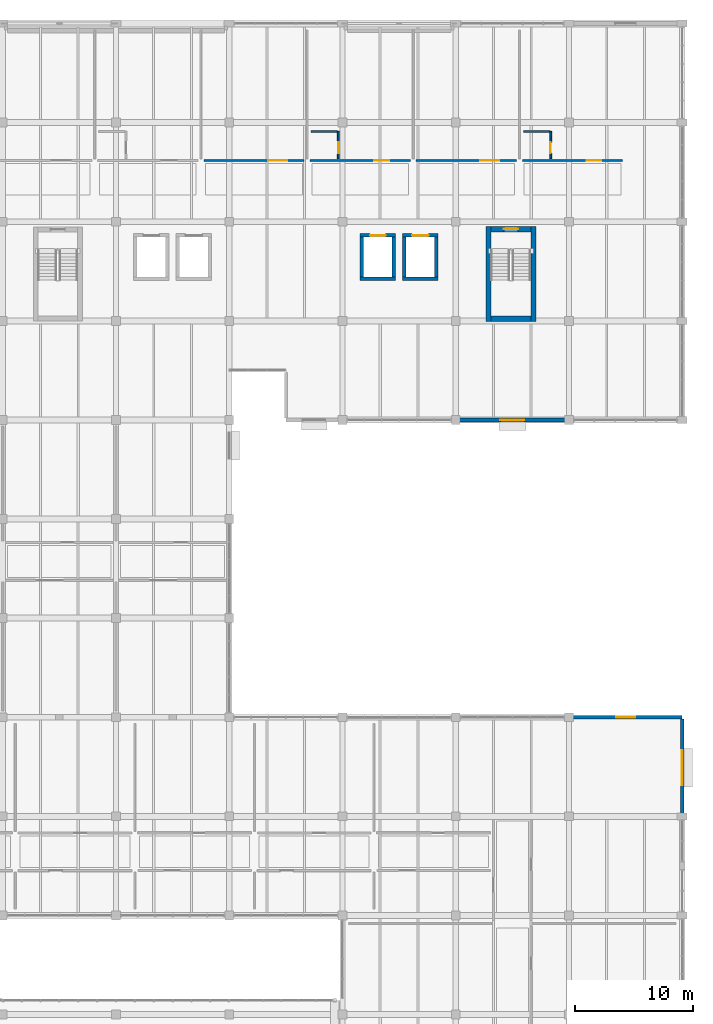
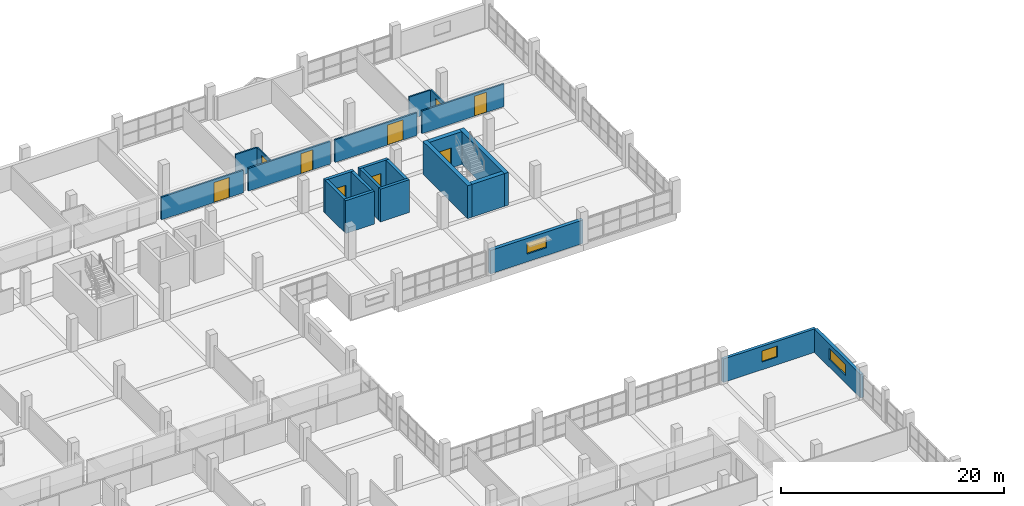
# One storey, part 131 of 147: 23 walls, 9 doors, 3 windows, 12 openings.
"""IFC4 building model written with IfcOpenShell, lengths in metres."""

from ifc_helpers import new_model, si_unit, direction, frame, frame_2d, origin, place, context, subcontext, project, spatial, rectangle, extrude, material, layer, layer_set, type_object, element, fill, save


model = new_model("IFC4")

# Units and contexts
model_context = context("Model", 3, precision=1e-05, world=origin(), true_north=direction((0.0, 1.0)))
body_context = subcontext(model_context, "Body", "Model", "MODEL_VIEW")
ifc_project = project(units=[si_unit("LENGTHUNIT", "METRE"), si_unit("AREAUNIT", "SQUARE_METRE"), si_unit("VOLUMEUNIT", "CUBIC_METRE"), si_unit("PLANEANGLEUNIT", "RADIAN"), si_unit("MASSUNIT", "GRAM", prefix="KILO")], contexts=[model_context])

# Site, building, storey
site_placement = place(None, origin())
site = spatial("IfcSite", under=ifc_project, at=site_placement, CompositionType="ELEMENT")
building_placement = place(site_placement, origin())
building = spatial("IfcBuilding", under=site, at=building_placement, Name="Oolite Switchyard Hospital", CompositionType="ELEMENT")
storey_placement = place(building_placement, frame((0.0, 0.0, 9.89990234375)))
storey = spatial("IfcBuildingStorey", under=building, at=storey_placement, Name="L02", CompositionType="ELEMENT", Elevation=9.89990234375)

# Wall, opening, window
ifc_material_1 = material(Name="Precast oolitic limestone architectural concrete C40/50", Category="masonry")
ifc_layer_1 = layer(ifc_material_1, 0.300048828125)
ifc_layer_set_1 = layer_set([ifc_layer_1], Name="WAL-EXT-300")
wall_type_1 = type_object("IfcWallType", Name="WAL-EXT-300", PredefinedType="SOLIDWALL", material=ifc_layer_set_1)
wall_1_placement = place(storey_placement, frame((201.60009765625, 75.60009765625, 0.0), z_axis=(0.0, 0.0, 1.0), x_axis=(1.0, 0.0, 0.0)))
wall_1 = element("IfcWall", 1, at=wall_1_placement, inside=storey, type_object=wall_type_1, Name="L02 Exterior Spandrel Wall 133", PredefinedType="SOLIDWALL", context=body_context, shape_type="SweptSolid", body=[
    extrude(rectangle(XDim=9.599853515625, YDim=0.300048828125, at=frame_2d((4.7998046875, 0.0))), origin(), (0.0, 0.0, 1.0), 2.570068359375),
])
opening_1_placement = place(wall_1_placement, frame((4.0, 0.0, 0.85009765625)))
opening_1 = element("IfcOpeningElement", 2, at=opening_1_placement, cuts=wall_1, Name="Opening WN-0050", PredefinedType="OPENING", context=body_context, shape_type="SweptSolid", body=[
    extrude(rectangle(XDim=1.60009765625, YDim=1.199951171875, at=frame_2d((0.800048828125, 0.60009765625))), frame((0.0, 0.16015625, 0.0), z_axis=(0.0, -1.0, 0.0), x_axis=(1.0, 0.0, 0.0)), (0.0, 0.0, 1.0), 0.320068359375),
])
ifc_material_2 = material(Name="Thermally broken aluminum frame with laminated impact glazing", Category="aluminium")
window_type_1 = type_object("IfcWindowType", Name="WIN-IMP-160X120", PartitioningType="SINGLE_PANEL", PredefinedType="WINDOW", material=ifc_material_2)
window_1_placement = place(opening_1_placement, origin())
window_1 = element("IfcWindow", 3, at=window_1_placement, inside=storey, type_object=window_type_1, Name="L02 Hurricane Impact Window WN-0050", OverallHeight=1.199951171875, OverallWidth=1.60009765625, PartitioningType="SINGLE_PANEL", PredefinedType="WINDOW", context=body_context, shape_type="SweptSolid", body=[
    extrude(rectangle(XDim=1.60009765625, YDim=1.199951171875, at=frame_2d((0.800048828125, 0.60009765625))), frame((0.0, 0.030029296875, 0.0), z_axis=(0.0, -1.0, 0.0), x_axis=(1.0, 0.0, 0.0)), (0.0, 0.0, 1.0), 0.06005859375),
])
fill(opening_1, window_1)

ifc_layer_2 = layer(ifc_material_1, 0.320068359375)
ifc_layer_set_2 = layer_set([ifc_layer_2], Name="WAL-EXT-320")
wall_type_2 = type_object("IfcWallType", Name="WAL-EXT-320", PredefinedType="SOLIDWALL", material=ifc_layer_set_2)
wall_2_placement = place(storey_placement, frame((211.199951171875, 75.43994140625, 0.0), z_axis=(0.0, 0.0, 1.0), x_axis=(0.0, -1.0, 0.0)))
wall_2 = element("IfcWall", 4, at=wall_2_placement, inside=storey, type_object=wall_type_2, Name="L02 Exterior Spandrel Wall 169", PredefinedType="SOLIDWALL", context=body_context, shape_type="SweptSolid", body=[
    extrude(rectangle(XDim=8.239990234375, YDim=0.320068359375, at=frame_2d((4.1201171875, 0.0))), origin(), (0.0, 0.0, 1.0), 2.570068359375),
])
opening_2_placement = place(wall_2_placement, frame((2.6201171875, 0.0, 0.85009765625)))
opening_2 = element("IfcOpeningElement", 5, at=opening_2_placement, cuts=wall_2, Name="Opening WN-0064", PredefinedType="OPENING", context=body_context, shape_type="SweptSolid", body=[
    extrude(rectangle(XDim=3.0, YDim=1.199951171875, at=frame_2d((1.5, 0.60009765625))), frame((0.0, 0.169921875, 0.0), z_axis=(0.0, -1.0, 0.0), x_axis=(1.0, 0.0, 0.0)), (0.0, 0.0, 1.0), 0.340087890625),
])
window_type_2 = type_object("IfcWindowType", Name="WIN-IMP-300X120", PartitioningType="SINGLE_PANEL", PredefinedType="WINDOW", material=ifc_material_2)
window_2_placement = place(opening_2_placement, origin())
window_2 = element("IfcWindow", 6, at=window_2_placement, inside=storey, type_object=window_type_2, Name="L02 Hurricane Impact Window WN-0064", OverallHeight=1.199951171875, OverallWidth=3.0, PartitioningType="SINGLE_PANEL", PredefinedType="WINDOW", context=body_context, shape_type="SweptSolid", body=[
    extrude(rectangle(XDim=3.0, YDim=1.199951171875, at=frame_2d((1.5, 0.60009765625))), frame((0.0, 0.030029296875, 0.0), z_axis=(0.0, -1.0, 0.0), x_axis=(1.0, 0.0, 0.0)), (0.0, 0.0, 1.0), 0.06005859375),
])
fill(opening_2, window_2)

ifc_layer_3 = layer(ifc_material_1, 0.360107421875)
ifc_layer_set_3 = layer_set([ifc_layer_3], Name="WAL-EXT-360")
wall_type_3 = type_object("IfcWallType", Name="WAL-EXT-360", PredefinedType="SOLIDWALL", material=ifc_layer_set_3)
wall_3_placement = place(storey_placement, frame((201.60009765625, 100.800048828125, 0.0), z_axis=(0.0, 0.0, 1.0), x_axis=(-1.0, 0.0, 0.0)))
wall_3 = element("IfcWall", 7, at=wall_3_placement, inside=storey, type_object=wall_type_3, Name="L02 Exterior Spandrel Wall 136", PredefinedType="SOLIDWALL", context=body_context, shape_type="SweptSolid", body=[
    extrude(rectangle(XDim=9.60009765625, YDim=0.360107421875, at=frame_2d((4.800048828125, 0.0))), origin(), (0.0, 0.0, 1.0), 2.570068359375),
])
opening_3_placement = place(wall_3_placement, frame((3.77490234375, 0.0, 0.85009765625)))
opening_3 = element("IfcOpeningElement", 8, at=opening_3_placement, cuts=wall_3, Name="Opening WN-0053", PredefinedType="OPENING", context=body_context, shape_type="SweptSolid", body=[
    extrude(rectangle(XDim=2.050048828125, YDim=1.199951171875, at=frame_2d((1.02490234375, 0.60009765625))), frame((0.0, 0.18994140625, 0.0), z_axis=(0.0, -1.0, 0.0), x_axis=(1.0, 0.0, 0.0)), (0.0, 0.0, 1.0), 0.380126953125),
])
window_type_3 = type_object("IfcWindowType", Name="WIN-IMP-205X120", PartitioningType="SINGLE_PANEL", PredefinedType="WINDOW", material=ifc_material_2)
window_3_placement = place(opening_3_placement, origin())
window_3 = element("IfcWindow", 9, at=window_3_placement, inside=storey, type_object=window_type_3, Name="L02 Hurricane Impact Window WN-0053", OverallHeight=1.199951171875, OverallWidth=2.050048828125, PartitioningType="SINGLE_PANEL", PredefinedType="WINDOW", context=body_context, shape_type="SweptSolid", body=[
    extrude(rectangle(XDim=2.050048828125, YDim=1.199951171875, at=frame_2d((1.02490234375, 0.60009765625))), frame((0.0, 0.030029296875, 0.0), z_axis=(0.0, -1.0, 0.0), x_axis=(1.0, 0.0, 0.0)), (0.0, 0.0, 1.0), 0.06005859375),
])
fill(opening_3, window_3)

# Wall, opening, door
ifc_material_3 = material(Name="Moisture-resistant gypsum board on steel studs", Category="steel")
ifc_layer_4 = layer(ifc_material_3, 0.14990234375)
ifc_layer_set_4 = layer_set([ifc_layer_4], Name="WAL-PART-150")
wall_type_4 = type_object("IfcWallType", Name="WAL-PART-150", PredefinedType="PARTITIONING", material=ifc_layer_set_4)
wall_4_placement = place(storey_placement, frame((182.050048828125, 122.949951171875, 0.0), z_axis=(0.0, 0.0, 1.0), x_axis=(0.0, 1.0, 0.0)))
wall_4 = element("IfcWall", 10, at=wall_4_placement, inside=storey, type_object=wall_type_4, Name="L02 Interior Partition 541", PredefinedType="PARTITIONING", context=body_context, shape_type="SweptSolid", body=[
    extrude(rectangle(XDim=2.300048828125, YDim=0.14990234375, at=frame_2d((1.14990234375, 0.0))), origin(), (0.0, 0.0, 1.0), 2.47998046875),
])
opening_4_placement = place(wall_4_placement, frame((0.449951171875, 0.0, 0.0)))
opening_4 = element("IfcOpeningElement", 11, at=opening_4_placement, cuts=wall_4, Name="Opening D-0305", PredefinedType="OPENING", context=body_context, shape_type="SweptSolid", body=[
    extrude(rectangle(XDim=0.949951171875, YDim=2.10009765625, at=frame_2d((0.47509765625, 1.050048828125))), frame((0.0, 0.0849609375, 0.0), z_axis=(0.0, -1.0, 0.0), x_axis=(1.0, 0.0, 0.0)), (0.0, 0.0, 1.0), 0.169921875),
])
ifc_material_4 = material(Name="Solid-core antimicrobial hardwood leaf in steel frame", Category="steel")
door_type_1 = type_object("IfcDoorType", Name="DR-BATH-095X210", OperationType="NOTDEFINED", PredefinedType="DOOR", material=ifc_material_4)
door_1_placement = place(opening_4_placement, origin())
door_1 = element("IfcDoor", 12, at=door_1_placement, inside=storey, type_object=door_type_1, Name="L02 Interior Door D-0305", OperationType="SINGLE_SWING_RIGHT", OverallHeight=2.10009765625, OverallWidth=0.949951171875, PredefinedType="DOOR", context=body_context, shape_type="SweptSolid", body=[
    extrude(rectangle(XDim=0.949951171875, YDim=2.10009765625, at=frame_2d((0.47509765625, 1.050048828125))), frame((0.0, 0.02490234375, 0.0), z_axis=(0.0, -1.0, 0.0), x_axis=(1.0, 0.0, 0.0)), (0.0, 0.0, 1.0), 0.050048828125),
])
fill(opening_4, door_1)

# Wall
wall_5_placement = place(storey_placement, frame((179.75, 125.25, 0.0), z_axis=(0.0, 0.0, 1.0), x_axis=(1.0, 0.0, 0.0)))
element("IfcWall", 13, at=wall_5_placement, inside=storey, type_object=wall_type_4, Name="L02 Interior Partition 542", PredefinedType="PARTITIONING", context=body_context, shape_type="SweptSolid", body=[
    extrude(rectangle(XDim=2.199951171875, YDim=0.14990234375, at=frame_2d((1.10009765625, 0.0))), origin(), (0.0, 0.0, 1.0), 2.47998046875),
])

# Wall, opening, door
wall_6_placement = place(storey_placement, frame((200.050048828125, 122.949951171875, 0.0), z_axis=(0.0, 0.0, 1.0), x_axis=(0.0, 1.0, 0.0)))
wall_6 = element("IfcWall", 14, at=wall_6_placement, inside=storey, type_object=wall_type_4, Name="L02 Interior Partition 547", PredefinedType="PARTITIONING", context=body_context, shape_type="SweptSolid", body=[
    extrude(rectangle(XDim=2.300048828125, YDim=0.14990234375, at=frame_2d((1.14990234375, 0.0))), origin(), (0.0, 0.0, 1.0), 2.47998046875),
])
opening_5_placement = place(wall_6_placement, frame((0.449951171875, 0.0, 0.0)))
opening_5 = element("IfcOpeningElement", 15, at=opening_5_placement, cuts=wall_6, Name="Opening D-0308", PredefinedType="OPENING", context=body_context, shape_type="SweptSolid", body=[
    extrude(rectangle(XDim=0.949951171875, YDim=2.10009765625, at=frame_2d((0.47509765625, 1.050048828125))), frame((0.0, 0.0849609375, 0.0), z_axis=(0.0, -1.0, 0.0), x_axis=(1.0, 0.0, 0.0)), (0.0, 0.0, 1.0), 0.169921875),
])
door_2_placement = place(opening_5_placement, origin())
door_2 = element("IfcDoor", 16, at=door_2_placement, inside=storey, type_object=door_type_1, Name="L02 Interior Door D-0308", OperationType="SINGLE_SWING_RIGHT", OverallHeight=2.10009765625, OverallWidth=0.949951171875, PredefinedType="DOOR", context=body_context, shape_type="SweptSolid", body=[
    extrude(rectangle(XDim=0.949951171875, YDim=2.10009765625, at=frame_2d((0.47509765625, 1.050048828125))), frame((0.0, 0.02490234375, 0.0), z_axis=(0.0, -1.0, 0.0), x_axis=(1.0, 0.0, 0.0)), (0.0, 0.0, 1.0), 0.050048828125),
])
fill(opening_5, door_2)

# Wall
wall_7_placement = place(storey_placement, frame((197.75, 125.25, 0.0), z_axis=(0.0, 0.0, 1.0), x_axis=(1.0, 0.0, 0.0)))
element("IfcWall", 17, at=wall_7_placement, inside=storey, type_object=wall_type_4, Name="L02 Interior Partition 548", PredefinedType="PARTITIONING", context=body_context, shape_type="SweptSolid", body=[
    extrude(rectangle(XDim=2.199951171875, YDim=0.14990234375, at=frame_2d((1.10009765625, 0.0))), origin(), (0.0, 0.0, 1.0), 2.47998046875),
])

# Wall, opening, door
ifc_layer_5 = layer(ifc_material_3, 0.1650390625)
ifc_layer_set_5 = layer_set([ifc_layer_5], Name="WAL-PART-165")
wall_type_5 = type_object("IfcWallType", Name="WAL-PART-165", PredefinedType="PARTITIONING", material=ifc_layer_set_5)
wall_8_placement = place(storey_placement, frame((170.64990234375, 122.800048828125, 0.0), z_axis=(0.0, 0.0, 1.0), x_axis=(1.0, 0.0, 0.0)))
wall_8 = element("IfcWall", 18, at=wall_8_placement, inside=storey, type_object=wall_type_5, Name="L02 Interior Partition 538", PredefinedType="PARTITIONING", context=body_context, shape_type="SweptSolid", body=[
    extrude(rectangle(XDim=8.5, YDim=0.1650390625, at=frame_2d((4.25, 0.0))), origin(), (0.0, 0.0, 1.0), 2.47998046875),
])
opening_6_placement = place(wall_8_placement, frame((5.449951171875, 0.0, 0.0)))
opening_6 = element("IfcOpeningElement", 19, at=opening_6_placement, cuts=wall_8, Name="Opening D-0303", PredefinedType="OPENING", context=body_context, shape_type="SweptSolid", body=[
    extrude(rectangle(XDim=1.60009765625, YDim=2.199951171875, at=frame_2d((0.800048828125, 1.10009765625))), frame((0.0, 0.092529296875, 0.0), z_axis=(0.0, -1.0, 0.0), x_axis=(1.0, 0.0, 0.0)), (0.0, 0.0, 1.0), 0.18505859375),
])
ifc_material_5 = material(Name="Hollow metal fire-rated steel door assembly", Category="steel")
door_type_2 = type_object("IfcDoorType", Name="DR-DBL-160X220", OperationType="NOTDEFINED", PredefinedType="DOOR", material=ifc_material_5)
door_3_placement = place(opening_6_placement, origin())
door_3 = element("IfcDoor", 20, at=door_3_placement, inside=storey, type_object=door_type_2, Name="L02 Interior Door D-0303", OperationType="DOUBLE_DOOR_SINGLE_SWING", OverallHeight=2.199951171875, OverallWidth=1.60009765625, PredefinedType="DOOR", context=body_context, shape_type="SweptSolid", body=[
    extrude(rectangle(XDim=1.60009765625, YDim=2.199951171875, at=frame_2d((0.800048828125, 1.10009765625))), frame((0.0, 0.02490234375, 0.0), z_axis=(0.0, -1.0, 0.0), x_axis=(1.0, 0.0, 0.0)), (0.0, 0.0, 1.0), 0.050048828125),
])
fill(opening_6, door_3)

wall_9_placement = place(storey_placement, frame((179.64990234375, 122.800048828125, 0.0), z_axis=(0.0, 0.0, 1.0), x_axis=(1.0, 0.0, 0.0)))
wall_9 = element("IfcWall", 21, at=wall_9_placement, inside=storey, type_object=wall_type_5, Name="L02 Interior Partition 540", PredefinedType="PARTITIONING", context=body_context, shape_type="SweptSolid", body=[
    extrude(rectangle(XDim=8.5, YDim=0.1650390625, at=frame_2d((4.25, 0.0))), origin(), (0.0, 0.0, 1.0), 2.47998046875),
])
opening_7_placement = place(wall_9_placement, frame((5.449951171875, 0.0, 0.0)))
opening_7 = element("IfcOpeningElement", 22, at=opening_7_placement, cuts=wall_9, Name="Opening D-0304", PredefinedType="OPENING", context=body_context, shape_type="SweptSolid", body=[
    extrude(rectangle(XDim=1.25, YDim=2.199951171875, at=frame_2d((0.625, 1.10009765625))), frame((0.0, 0.092529296875, 0.0), z_axis=(0.0, -1.0, 0.0), x_axis=(1.0, 0.0, 0.0)), (0.0, 0.0, 1.0), 0.18505859375),
])
door_type_3 = type_object("IfcDoorType", Name="DR-WARD-125X220", OperationType="NOTDEFINED", PredefinedType="DOOR", material=ifc_material_4)
door_4_placement = place(opening_7_placement, origin())
door_4 = element("IfcDoor", 23, at=door_4_placement, inside=storey, type_object=door_type_3, Name="L02 Interior Door D-0304", OperationType="SINGLE_SWING_LEFT", OverallHeight=2.199951171875, OverallWidth=1.25, PredefinedType="DOOR", context=body_context, shape_type="SweptSolid", body=[
    extrude(rectangle(XDim=1.25, YDim=2.199951171875, at=frame_2d((0.625, 1.10009765625))), frame((0.0, 0.02490234375, 0.0), z_axis=(0.0, -1.0, 0.0), x_axis=(1.0, 0.0, 0.0)), (0.0, 0.0, 1.0), 0.050048828125),
])
fill(opening_7, door_4)

wall_10_placement = place(storey_placement, frame((188.64990234375, 122.800048828125, 0.0), z_axis=(0.0, 0.0, 1.0), x_axis=(1.0, 0.0, 0.0)))
wall_10 = element("IfcWall", 24, at=wall_10_placement, inside=storey, type_object=wall_type_5, Name="L02 Interior Partition 544", PredefinedType="PARTITIONING", context=body_context, shape_type="SweptSolid", body=[
    extrude(rectangle(XDim=8.5, YDim=0.1650390625, at=frame_2d((4.25, 0.0))), origin(), (0.0, 0.0, 1.0), 2.47998046875),
])
opening_8_placement = place(wall_10_placement, frame((5.449951171875, 0.0, 0.0)))
opening_8 = element("IfcOpeningElement", 25, at=opening_8_placement, cuts=wall_10, Name="Opening D-0306", PredefinedType="OPENING", context=body_context, shape_type="SweptSolid", body=[
    extrude(rectangle(XDim=1.60009765625, YDim=2.199951171875, at=frame_2d((0.800048828125, 1.10009765625))), frame((0.0, 0.092529296875, 0.0), z_axis=(0.0, -1.0, 0.0), x_axis=(1.0, 0.0, 0.0)), (0.0, 0.0, 1.0), 0.18505859375),
])
door_5_placement = place(opening_8_placement, origin())
door_5 = element("IfcDoor", 26, at=door_5_placement, inside=storey, type_object=door_type_2, Name="L02 Interior Door D-0306", OperationType="DOUBLE_DOOR_SINGLE_SWING", OverallHeight=2.199951171875, OverallWidth=1.60009765625, PredefinedType="DOOR", context=body_context, shape_type="SweptSolid", body=[
    extrude(rectangle(XDim=1.60009765625, YDim=2.199951171875, at=frame_2d((0.800048828125, 1.10009765625))), frame((0.0, 0.02490234375, 0.0), z_axis=(0.0, -1.0, 0.0), x_axis=(1.0, 0.0, 0.0)), (0.0, 0.0, 1.0), 0.050048828125),
])
fill(opening_8, door_5)

wall_11_placement = place(storey_placement, frame((197.64990234375, 122.800048828125, 0.0), z_axis=(0.0, 0.0, 1.0), x_axis=(1.0, 0.0, 0.0)))
wall_11 = element("IfcWall", 27, at=wall_11_placement, inside=storey, type_object=wall_type_5, Name="L02 Interior Partition 546", PredefinedType="PARTITIONING", context=body_context, shape_type="SweptSolid", body=[
    extrude(rectangle(XDim=8.5, YDim=0.1650390625, at=frame_2d((4.25, 0.0))), origin(), (0.0, 0.0, 1.0), 2.47998046875),
])
opening_9_placement = place(wall_11_placement, frame((5.449951171875, 0.0, 0.0)))
opening_9 = element("IfcOpeningElement", 28, at=opening_9_placement, cuts=wall_11, Name="Opening D-0307", PredefinedType="OPENING", context=body_context, shape_type="SweptSolid", body=[
    extrude(rectangle(XDim=1.25, YDim=2.199951171875, at=frame_2d((0.625, 1.10009765625))), frame((0.0, 0.092529296875, 0.0), z_axis=(0.0, -1.0, 0.0), x_axis=(1.0, 0.0, 0.0)), (0.0, 0.0, 1.0), 0.18505859375),
])
door_6_placement = place(opening_9_placement, origin())
door_6 = element("IfcDoor", 29, at=door_6_placement, inside=storey, type_object=door_type_3, Name="L02 Interior Door D-0307", OperationType="SINGLE_SWING_LEFT", OverallHeight=2.199951171875, OverallWidth=1.25, PredefinedType="DOOR", context=body_context, shape_type="SweptSolid", body=[
    extrude(rectangle(XDim=1.25, YDim=2.199951171875, at=frame_2d((0.625, 1.10009765625))), frame((0.0, 0.02490234375, 0.0), z_axis=(0.0, -1.0, 0.0), x_axis=(1.0, 0.0, 0.0)), (0.0, 0.0, 1.0), 0.050048828125),
])
fill(opening_9, door_6)

# Walls
ifc_material_6 = material(Name="Concrete C50/60", Category="concrete")
ifc_layer_6 = layer(ifc_material_6, 0.300048828125)
ifc_layer_set_6 = layer_set([ifc_layer_6], Name="WAL-SHR-300")
wall_type_6 = type_object("IfcWallType", Name="WAL-SHR-300", PredefinedType="SHEAR", material=ifc_layer_set_6)
wall_12_placement = place(storey_placement, frame((183.89990234375, 112.75, 0.0), z_axis=(0.0, 0.0, 1.0), x_axis=(1.0, 0.0, 0.0)))
element("IfcWall", 30, at=wall_12_placement, inside=storey, type_object=wall_type_6, Name="L02 Lift Shaft Shear Wall EL-03", PredefinedType="SHEAR", context=body_context, shape_type="SweptSolid", body=[
    extrude(rectangle(XDim=3.0, YDim=0.300048828125, at=frame_2d((1.5, 0.0))), origin(), (0.0, 0.0, 1.0), 3.60009765625),
])
wall_13_placement = place(storey_placement, frame((186.75, 112.89990234375, 0.0), z_axis=(0.0, 0.0, 1.0), x_axis=(0.0, 1.0, 0.0)))
element("IfcWall", 31, at=wall_13_placement, inside=storey, type_object=wall_type_6, Name="L02 Lift Shaft Shear Wall EL-03", PredefinedType="SHEAR", context=body_context, shape_type="SweptSolid", body=[
    extrude(rectangle(XDim=3.400146484375, YDim=0.300048828125, at=frame_2d((1.7001953125, 0.0))), origin(), (0.0, 0.0, 1.0), 3.60009765625),
])

# Wall, opening, door
wall_14_placement = place(storey_placement, frame((186.89990234375, 116.449951171875, 0.0), z_axis=(0.0, 0.0, 1.0), x_axis=(-1.0, 0.0, 0.0)))
wall_14 = element("IfcWall", 32, at=wall_14_placement, inside=storey, type_object=wall_type_6, Name="L02 Lift Shaft Shear Wall EL-03", PredefinedType="SHEAR", context=body_context, shape_type="SweptSolid", body=[
    extrude(rectangle(XDim=3.0, YDim=0.300048828125, at=frame_2d((1.5, 0.0))), origin(), (0.0, 0.0, 1.0), 3.60009765625),
])
opening_10_placement = place(wall_14_placement, frame((0.85009765625, 0.0, 0.0)))
opening_10 = element("IfcOpeningElement", 33, at=opening_10_placement, cuts=wall_14, Name="Opening LD-021", PredefinedType="OPENING", context=body_context, shape_type="SweptSolid", body=[
    extrude(rectangle(XDim=1.300048828125, YDim=2.300048828125, at=frame_2d((0.64990234375, 1.14990234375))), frame((0.0, 0.16015625, 0.0), z_axis=(0.0, -1.0, 0.0), x_axis=(1.0, 0.0, 0.0)), (0.0, 0.0, 1.0), 0.320068359375),
])
ifc_material_7 = material(Name="Brushed stainless steel fire-rated sliding landing door", Category="steel")
door_type_4 = type_object("IfcDoorType", Name="DR-LD-130X230", OperationType="NOTDEFINED", PredefinedType="DOOR", material=ifc_material_7)
door_7_placement = place(opening_10_placement, origin())
door_7 = element("IfcDoor", 34, at=door_7_placement, inside=storey, type_object=door_type_4, Name="L02 EL-03 Lift Landing Door LD-021", OperationType="SLIDING_TO_LEFT", OverallHeight=2.300048828125, OverallWidth=1.300048828125, PredefinedType="DOOR", context=body_context, shape_type="SweptSolid", body=[
    extrude(rectangle(XDim=1.300048828125, YDim=2.300048828125, at=frame_2d((0.64990234375, 1.14990234375))), frame((0.0, 0.02490234375, 0.0), z_axis=(0.0, -1.0, 0.0), x_axis=(1.0, 0.0, 0.0)), (0.0, 0.0, 1.0), 0.050048828125),
])
fill(opening_10, door_7)

# Walls
wall_15_placement = place(storey_placement, frame((184.050048828125, 116.300048828125, 0.0), z_axis=(0.0, 0.0, 1.0), x_axis=(0.0, -1.0, 0.0)))
element("IfcWall", 35, at=wall_15_placement, inside=storey, type_object=wall_type_6, Name="L02 Lift Shaft Shear Wall EL-03", PredefinedType="SHEAR", context=body_context, shape_type="SweptSolid", body=[
    extrude(rectangle(XDim=3.400146484375, YDim=0.300048828125, at=frame_2d((1.7001953125, 0.0))), origin(), (0.0, 0.0, 1.0), 3.60009765625),
])
wall_16_placement = place(storey_placement, frame((187.5, 112.75, 0.0), z_axis=(0.0, 0.0, 1.0), x_axis=(1.0, 0.0, 0.0)))
element("IfcWall", 36, at=wall_16_placement, inside=storey, type_object=wall_type_6, Name="L02 Lift Shaft Shear Wall EL-04", PredefinedType="SHEAR", context=body_context, shape_type="SweptSolid", body=[
    extrude(rectangle(XDim=3.0, YDim=0.300048828125, at=frame_2d((1.5, 0.0))), origin(), (0.0, 0.0, 1.0), 3.60009765625),
])
wall_17_placement = place(storey_placement, frame((190.35009765625, 112.89990234375, 0.0), z_axis=(0.0, 0.0, 1.0), x_axis=(0.0, 1.0, 0.0)))
element("IfcWall", 37, at=wall_17_placement, inside=storey, type_object=wall_type_6, Name="L02 Lift Shaft Shear Wall EL-04", PredefinedType="SHEAR", context=body_context, shape_type="SweptSolid", body=[
    extrude(rectangle(XDim=3.400146484375, YDim=0.300048828125, at=frame_2d((1.7001953125, 0.0))), origin(), (0.0, 0.0, 1.0), 3.60009765625),
])

# Wall, opening, door
wall_18_placement = place(storey_placement, frame((190.5, 116.449951171875, 0.0), z_axis=(0.0, 0.0, 1.0), x_axis=(-1.0, 0.0, 0.0)))
wall_18 = element("IfcWall", 38, at=wall_18_placement, inside=storey, type_object=wall_type_6, Name="L02 Lift Shaft Shear Wall EL-04", PredefinedType="SHEAR", context=body_context, shape_type="SweptSolid", body=[
    extrude(rectangle(XDim=3.0, YDim=0.300048828125, at=frame_2d((1.5, 0.0))), origin(), (0.0, 0.0, 1.0), 3.60009765625),
])
opening_11_placement = place(wall_18_placement, frame((0.800048828125, 0.0, 0.0)))
opening_11 = element("IfcOpeningElement", 39, at=opening_11_placement, cuts=wall_18, Name="Opening LD-029", PredefinedType="OPENING", context=body_context, shape_type="SweptSolid", body=[
    extrude(rectangle(XDim=1.39990234375, YDim=2.300048828125, at=frame_2d((0.699951171875, 1.14990234375))), frame((0.0, 0.16015625, 0.0), z_axis=(0.0, -1.0, 0.0), x_axis=(1.0, 0.0, 0.0)), (0.0, 0.0, 1.0), 0.320068359375),
])
door_type_5 = type_object("IfcDoorType", Name="DR-LD-140X230", OperationType="NOTDEFINED", PredefinedType="DOOR", material=ifc_material_7)
door_8_placement = place(opening_11_placement, origin())
door_8 = element("IfcDoor", 40, at=door_8_placement, inside=storey, type_object=door_type_5, Name="L02 EL-04 Lift Landing Door LD-029", OperationType="SLIDING_TO_LEFT", OverallHeight=2.300048828125, OverallWidth=1.39990234375, PredefinedType="DOOR", context=body_context, shape_type="SweptSolid", body=[
    extrude(rectangle(XDim=1.39990234375, YDim=2.300048828125, at=frame_2d((0.699951171875, 1.14990234375))), frame((0.0, 0.02490234375, 0.0), z_axis=(0.0, -1.0, 0.0), x_axis=(1.0, 0.0, 0.0)), (0.0, 0.0, 1.0), 0.050048828125),
])
fill(opening_11, door_8)

# Walls
wall_19_placement = place(storey_placement, frame((187.64990234375, 116.300048828125, 0.0), z_axis=(0.0, 0.0, 1.0), x_axis=(0.0, -1.0, 0.0)))
element("IfcWall", 41, at=wall_19_placement, inside=storey, type_object=wall_type_6, Name="L02 Lift Shaft Shear Wall EL-04", PredefinedType="SHEAR", context=body_context, shape_type="SweptSolid", body=[
    extrude(rectangle(XDim=3.400146484375, YDim=0.300048828125, at=frame_2d((1.7001953125, 0.0))), origin(), (0.0, 0.0, 1.0), 3.60009765625),
])
ifc_layer_7 = layer(ifc_material_6, 0.449951171875)
ifc_layer_set_7 = layer_set([ifc_layer_7], Name="WAL-SHR-450")
wall_type_7 = type_object("IfcWallType", Name="WAL-SHR-450", PredefinedType="SHEAR", material=ifc_layer_set_7)
wall_20_placement = place(storey_placement, frame((194.77490234375, 117.199951171875, 0.0), z_axis=(0.0, 0.0, 1.0), x_axis=(0.0, -1.0, 0.0)))
element("IfcWall", 42, at=wall_20_placement, inside=storey, type_object=wall_type_7, Name="L02 Core Shear Wall ST-04", PredefinedType="SHEAR", context=body_context, shape_type="SweptSolid", body=[
    extrude(rectangle(XDim=8.050048828125, YDim=0.449951171875, at=frame_2d((4.02490234375, 0.0))), origin(), (0.0, 0.0, 1.0), 3.60009765625),
])
wall_21_placement = place(storey_placement, frame((195.0, 109.375, 0.0), z_axis=(0.0, 0.0, 1.0), x_axis=(1.0, 0.0, 0.0)))
element("IfcWall", 43, at=wall_21_placement, inside=storey, type_object=wall_type_7, Name="L02 Core Shear Wall ST-04", PredefinedType="SHEAR", context=body_context, shape_type="SweptSolid", body=[
    extrude(rectangle(XDim=3.360107421875, YDim=0.449951171875, at=frame_2d((1.68017578125, 0.0))), origin(), (0.0, 0.0, 1.0), 3.60009765625),
])
wall_22_placement = place(storey_placement, frame((198.5849609375, 109.14990234375, 0.0), z_axis=(0.0, 0.0, 1.0), x_axis=(0.0, 1.0, 0.0)))
element("IfcWall", 44, at=wall_22_placement, inside=storey, type_object=wall_type_7, Name="L02 Core Shear Wall ST-04", PredefinedType="SHEAR", context=body_context, shape_type="SweptSolid", body=[
    extrude(rectangle(XDim=8.050048828125, YDim=0.449951171875, at=frame_2d((4.02490234375, 0.0))), origin(), (0.0, 0.0, 1.0), 3.60009765625),
])

# Wall, opening, door
wall_23_placement = place(storey_placement, frame((198.360107421875, 116.97509765625, 0.0), z_axis=(0.0, 0.0, 1.0), x_axis=(-1.0, 0.0, 0.0)))
wall_23 = element("IfcWall", 45, at=wall_23_placement, inside=storey, type_object=wall_type_7, Name="L02 Core Shear Wall ST-04", PredefinedType="SHEAR", context=body_context, shape_type="SweptSolid", body=[
    extrude(rectangle(XDim=3.360107421875, YDim=0.449951171875, at=frame_2d((1.68017578125, 0.0))), origin(), (0.0, 0.0, 1.0), 3.60009765625),
])
opening_12_placement = place(wall_23_placement, frame((1.080078125, 0.0, 0.0)))
opening_12 = element("IfcOpeningElement", 46, at=opening_12_placement, cuts=wall_23, Name="Opening SD-026", PredefinedType="OPENING", context=body_context, shape_type="SweptSolid", body=[
    extrude(rectangle(XDim=1.199951171875, YDim=2.199951171875, at=frame_2d((0.60009765625, 1.10009765625))), frame((0.0, 0.23486328125, 0.0), z_axis=(0.0, -1.0, 0.0), x_axis=(1.0, 0.0, 0.0)), (0.0, 0.0, 1.0), 0.469970703125),
])
door_type_6 = type_object("IfcDoorType", Name="DR-STR-120X220", OperationType="NOTDEFINED", PredefinedType="DOOR", material=ifc_material_5)
door_9_placement = place(opening_12_placement, origin())
door_9 = element("IfcDoor", 47, at=door_9_placement, inside=storey, type_object=door_type_6, Name="L02 ST-04 Exit Stair Door SD-026", OperationType="SINGLE_SWING_RIGHT", OverallHeight=2.199951171875, OverallWidth=1.199951171875, PredefinedType="DOOR", context=body_context, shape_type="SweptSolid", body=[
    extrude(rectangle(XDim=1.199951171875, YDim=2.199951171875, at=frame_2d((0.60009765625, 1.10009765625))), frame((0.0, 0.02490234375, 0.0), z_axis=(0.0, -1.0, 0.0), x_axis=(1.0, 0.0, 0.0)), (0.0, 0.0, 1.0), 0.050048828125),
])
fill(opening_12, door_9)

save(model, "model.ifc")
